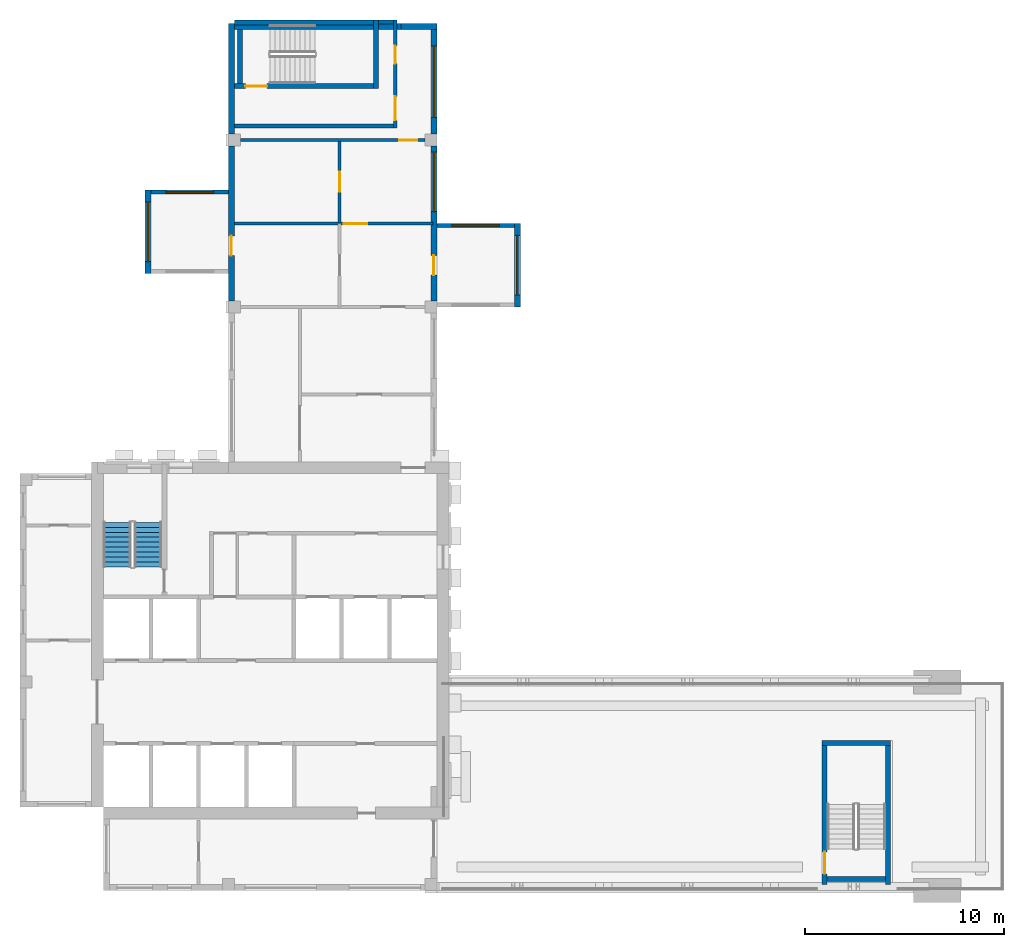
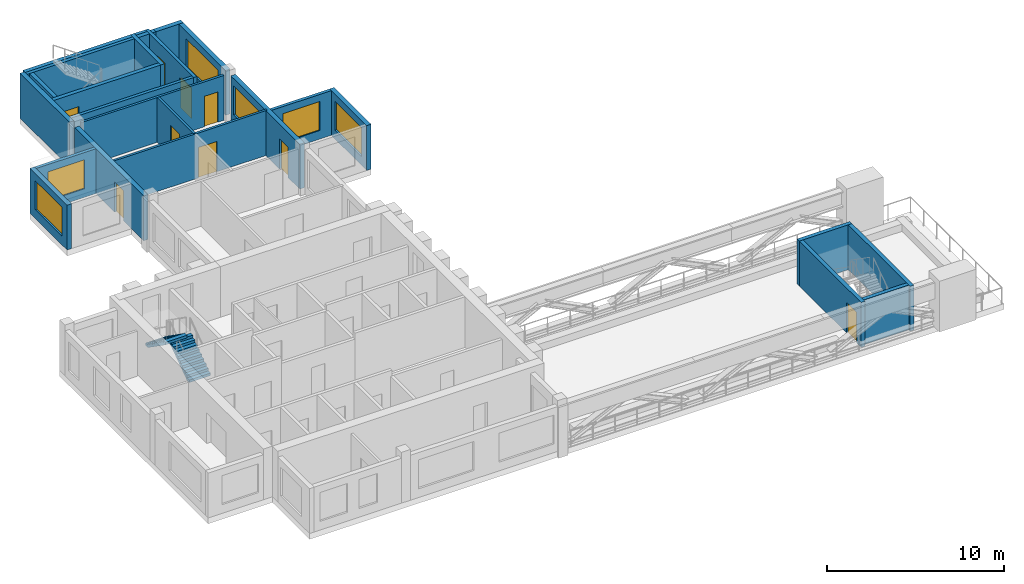
# One storey, part 4 of 9: 24 walls, 9 doors, 6 windows, 2 stair flights, 15 openings, 1 element without a shape of its own.
"""IFC4 building model written with IfcOpenShell, lengths in metres."""

from ifc_helpers import new_model, si_unit, direction, frame, frame_2d, origin, place, context, subcontext, project, spatial, polyline, rectangle, outline, extrude, source, transform, mapped, material, layer, layer_set, type_object, element, fill, aggregate, save


model = new_model("IFC4")

# Units and contexts
model_context = context("Model", 3, precision=1e-05, world=origin(), true_north=direction((0.0, 1.0)))
body_context = subcontext(model_context, "Body", "Model", "MODEL_VIEW")
ifc_project = project(units=[si_unit("LENGTHUNIT", "METRE"), si_unit("AREAUNIT", "SQUARE_METRE"), si_unit("VOLUMEUNIT", "CUBIC_METRE"), si_unit("PLANEANGLEUNIT", "RADIAN"), si_unit("MASSUNIT", "GRAM", prefix="KILO")], contexts=[model_context])

# Site, building, storey
site_placement = place(None, origin())
site = spatial("IfcSite", under=ifc_project, at=site_placement, CompositionType="ELEMENT")
building_placement = place(site_placement, origin())
building = spatial("IfcBuilding", under=site, at=building_placement, Name="Aurelian Terraces", CompositionType="ELEMENT")
storey_placement = place(building_placement, frame((0.0, 0.0, 351.0)))
storey = spatial("IfcBuildingStorey", under=building, at=storey_placement, Name="L83", CompositionType="ELEMENT", Elevation=351.0)

# Wall, opening, window
ifc_material_1 = material(Name="Concrete fc' 40 MPa", Category="concrete")
ifc_layer_1 = layer(ifc_material_1, 0.2)
ifc_layer_set_1 = layer_set([ifc_layer_1], Name="BOX BEARING WALL 200")
wall_type_1 = type_object("IfcWallType", Name="BOX BEARING WALL 200", PredefinedType="SOLIDWALL", material=ifc_layer_set_1)
shared_shape_1 = source(origin(), body_context, "Body", "SweptSolid", [
    extrude(rectangle(XDim=3.9, YDim=0.2, at=frame_2d((1.95, 0.0))), origin(), (0.0, 0.0, 1.0), 3.09),
])
wall_1_placement = place(storey_placement, frame((21.0, 33.5, 0.0), z_axis=(0.0, 0.0, 1.0), x_axis=(1.0, 0.0, 0.0)))
wall_1 = element("IfcWall", 1, at=wall_1_placement, inside=storey, type_object=wall_type_1, Name="Box return L83 J96.2", PredefinedType="SOLIDWALL", context=body_context, shape_type="MappedRepresentation", body=[
    mapped(shared_shape_1, transform((0.0, 0.0, 0.0), scale=1.0)),
])
shared_shape_2 = source(origin(), body_context, "Body", "SweptSolid", [
    extrude(rectangle(XDim=2.4, YDim=2.0, at=frame_2d((1.2, 1.0))), frame((0.0, 0.11, 0.0), z_axis=(0.0, -1.0, 0.0), x_axis=(1.0, 0.0, 0.0)), (0.0, 0.0, 1.0), 0.22),
])
opening_1_placement = place(wall_1_placement, frame((0.75, 0.0, 0.6)))
opening_1 = element("IfcOpeningElement", 2, at=opening_1_placement, cuts=wall_1, Name="Opening W2420", PredefinedType="OPENING", context=body_context, shape_type="MappedRepresentation", body=[
    mapped(shared_shape_2, transform((0.0, 0.0, 0.0), scale=1.0)),
])
ifc_material_2 = material(Name="Clear glazing", Category="glass")
window_type_1 = type_object("IfcWindowType", Name="W-2400x2000", PartitioningType="SINGLE_PANEL", PredefinedType="WINDOW", material=ifc_material_2)
shared_shape_3 = source(origin(), body_context, "Body", "SweptSolid", [
    extrude(rectangle(XDim=2.4, YDim=2.0, at=frame_2d((1.2, 1.0))), frame((0.0, 0.03, 0.0), z_axis=(0.0, -1.0, 0.0), x_axis=(1.0, 0.0, 0.0)), (0.0, 0.0, 1.0), 0.06),
])
window_1_placement = place(opening_1_placement, origin())
window_1 = element("IfcWindow", 3, at=window_1_placement, inside=storey, type_object=window_type_1, Name="Window L83 J96-S2", OverallHeight=2.0, OverallWidth=2.4, PartitioningType="SINGLE_PANEL", PredefinedType="WINDOW", context=body_context, shape_type="MappedRepresentation", body=[
    mapped(shared_shape_3, transform((0.0, 0.0, 0.0), scale=1.0)),
])
fill(opening_1, window_1)

shared_shape_4 = source(origin(), body_context, "Body", "SweptSolid", [
    extrude(rectangle(XDim=3.9, YDim=0.2, at=frame_2d((1.95, 0.0))), origin(), (0.0, 0.0, 1.0), 3.1),
])
wall_2_placement = place(storey_placement, frame((10.5, 35.18, 0.0), z_axis=(0.0, 0.0, 1.0), x_axis=(-1.0, 0.0, 0.0)))
wall_2 = element("IfcWall", 4, at=wall_2_placement, inside=storey, type_object=wall_type_1, Name="Box return L83 J95.1", PredefinedType="SOLIDWALL", context=body_context, shape_type="MappedRepresentation", body=[
    mapped(shared_shape_4, transform((0.0, 0.0, 0.0), scale=1.0)),
])
opening_2_placement = place(wall_2_placement, frame((0.75, 0.0, 0.6)))
opening_2 = element("IfcOpeningElement", 5, at=opening_2_placement, cuts=wall_2, Name="Opening W2420", PredefinedType="OPENING", context=body_context, shape_type="MappedRepresentation", body=[
    mapped(shared_shape_2, transform((0.0, 0.0, 0.0), scale=1.0)),
])
window_2_placement = place(opening_2_placement, origin())
window_2 = element("IfcWindow", 6, at=window_2_placement, inside=storey, type_object=window_type_1, Name="Window L83 J95-S1", OverallHeight=2.0, OverallWidth=2.4, PartitioningType="SINGLE_PANEL", PredefinedType="WINDOW", context=body_context, shape_type="MappedRepresentation", body=[
    mapped(shared_shape_3, transform((0.0, 0.0, 0.0), scale=1.0)),
])
fill(opening_2, window_2)

# Walls
ifc_material_3 = material(Name="Terracotta rainscreen cladding", Category="masonry")
ifc_layer_2 = layer(ifc_material_3, 0.3)
ifc_layer_set_2 = layer_set([ifc_layer_2], Name="EW-300")
wall_type_2 = type_object("IfcWallType", Name="EW-300", PredefinedType="STANDARD", material=ifc_layer_set_2)
shared_shape_5 = source(origin(), body_context, "Body", "SweptSolid", [
    extrude(rectangle(XDim=1.8, YDim=0.3, at=frame_2d((0.9, 0.0))), origin(), (0.0, 0.0, 1.0), 3.1),
])
wall_3_placement = place(storey_placement, frame((21.0, 43.53, 0.0), z_axis=(0.0, 0.0, 1.0), x_axis=(-1.0, 0.0, 0.0)))
element("IfcWall", 7, at=wall_3_placement, inside=storey, type_object=wall_type_2, Name="External wall L83 F03.9", PredefinedType="STANDARD", context=body_context, shape_type="MappedRepresentation", body=[
    mapped(shared_shape_5, transform((0.0, 0.0, 0.0), scale=1.0)),
])
ifc_layer_3 = layer(ifc_material_1, 0.3)
ifc_layer_set_3 = layer_set([ifc_layer_3], Name="STAIR BAY WALL 300")
wall_type_3 = type_object("IfcWallType", Name="STAIR BAY WALL 300", PredefinedType="SOLIDWALL", material=ifc_layer_set_3)
shared_shape_6 = source(origin(), body_context, "Body", "SweptSolid", [
    extrude(rectangle(XDim=8.6, YDim=0.3, at=frame_2d((4.3, 0.0))), origin(), (0.0, 0.0, 1.0), 3.1),
])
wall_4_placement = place(storey_placement, frame((19.2, 43.53, 0.0), z_axis=(0.0, 0.0, 1.0), x_axis=(-1.0, 0.0, 0.0)))
element("IfcWall", 8, at=wall_4_placement, inside=storey, type_object=wall_type_3, Name="Stair bay wall L83 F03.9", PredefinedType="SOLIDWALL", context=body_context, shape_type="MappedRepresentation", body=[
    mapped(shared_shape_6, transform((0.0, 0.0, 0.0), scale=1.0)),
])

# Wall, openings, window, door
shared_shape_7 = source(origin(), body_context, "Body", "SweptSolid", [
    extrude(rectangle(XDim=7.8, YDim=0.3, at=frame_2d((3.9, 0.0))), origin(), (0.0, 0.0, 1.0), 3.1),
])
wall_5_placement = place(storey_placement, frame((20.85, 29.7, 0.0), z_axis=(0.0, 0.0, 1.0), x_axis=(0.0, 1.0, 0.0)))
wall_5 = element("IfcWall", 9, at=wall_5_placement, inside=storey, type_object=wall_type_2, Name="External wall L83 F02.7", PredefinedType="STANDARD", context=body_context, shape_type="MappedRepresentation", body=[
    mapped(shared_shape_7, transform((0.0, 0.0, 0.0), scale=1.0)),
])
shared_shape_8 = source(origin(), body_context, "Body", "SweptSolid", [
    extrude(rectangle(XDim=3.0, YDim=2.0, at=frame_2d((1.5, 1.0))), frame((0.0, 0.16, 0.0), z_axis=(0.0, -1.0, 0.0), x_axis=(1.0, 0.0, 0.0)), (0.0, 0.0, 1.0), 0.32),
])
opening_3_placement = place(wall_5_placement, frame((4.5, 0.0, 0.6)))
opening_3 = element("IfcOpeningElement", 10, at=opening_3_placement, cuts=wall_5, Name="Opening W3020", PredefinedType="OPENING", context=body_context, shape_type="MappedRepresentation", body=[
    mapped(shared_shape_8, transform((0.0, 0.0, 0.0), scale=1.0)),
])
shared_shape_9 = source(origin(), body_context, "Body", "SweptSolid", [
    extrude(rectangle(XDim=1.0, YDim=2.1, at=frame_2d((0.5, 1.05))), frame((0.0, 0.16, 0.0), z_axis=(0.0, -1.0, 0.0), x_axis=(1.0, 0.0, 0.0)), (0.0, 0.0, 1.0), 0.32),
])
opening_4_placement = place(wall_5_placement, frame((1.3, 0.0, 0.0)))
opening_4 = element("IfcOpeningElement", 11, at=opening_4_placement, cuts=wall_5, Name="Opening 883002", PredefinedType="OPENING", context=body_context, shape_type="MappedRepresentation", body=[
    mapped(shared_shape_9, transform((0.0, 0.0, 0.0), scale=1.0)),
])
window_type_2 = type_object("IfcWindowType", Name="W-3000x2000", PartitioningType="SINGLE_PANEL", PredefinedType="WINDOW", material=ifc_material_2)
shared_shape_10 = source(origin(), body_context, "Body", "SweptSolid", [
    extrude(rectangle(XDim=3.0, YDim=2.0, at=frame_2d((1.5, 1.0))), frame((0.0, 0.03, 0.0), z_axis=(0.0, -1.0, 0.0), x_axis=(1.0, 0.0, 0.0)), (0.0, 0.0, 1.0), 0.06),
])
window_3_placement = place(opening_3_placement, origin())
window_3 = element("IfcWindow", 12, at=window_3_placement, inside=storey, type_object=window_type_2, Name="Window L83 L83-F02-07-1", OverallHeight=2.0, OverallWidth=3.0, PartitioningType="SINGLE_PANEL", PredefinedType="WINDOW", context=body_context, shape_type="MappedRepresentation", body=[
    mapped(shared_shape_10, transform((0.0, 0.0, 0.0), scale=1.0)),
])
fill(opening_3, window_3)
ifc_material_4 = material(Name="Timber door leaf", Category="wood")
door_type_1 = type_object("IfcDoorType", Name="Room door 1000x2100 left", OperationType="SINGLE_SWING_LEFT", PredefinedType="DOOR", material=ifc_material_4)
shared_shape_11 = source(origin(), body_context, "Body", "SweptSolid", [
    extrude(rectangle(XDim=1.0, YDim=2.1, at=frame_2d((0.5, 1.05))), frame((0.0, 0.025, 0.0), z_axis=(0.0, -1.0, 0.0), x_axis=(1.0, 0.0, 0.0)), (0.0, 0.0, 1.0), 0.05),
])
door_1_placement = place(opening_4_placement, origin())
door_1 = element("IfcDoor", 13, at=door_1_placement, inside=storey, type_object=door_type_1, Name="Door 883002", OperationType="SINGLE_SWING_LEFT", OverallHeight=2.1, OverallWidth=1.0, PredefinedType="DOOR", context=body_context, shape_type="MappedRepresentation", body=[
    mapped(shared_shape_11, transform((0.0, 0.0, 0.0), scale=1.0)),
])
fill(opening_4, door_1)

# Wall, opening, door
wall_6_placement = place(storey_placement, frame((10.65, 37.5, 0.0), z_axis=(0.0, 0.0, 1.0), x_axis=(0.0, -1.0, 0.0)))
wall_6 = element("IfcWall", 14, at=wall_6_placement, inside=storey, type_object=wall_type_2, Name="External wall L83 F04.10", PredefinedType="STANDARD", context=body_context, shape_type="MappedRepresentation", body=[
    mapped(shared_shape_7, transform((0.0, 0.0, 0.0), scale=1.0)),
])
opening_5_placement = place(wall_6_placement, frame((4.52, 0.0, 0.0)))
opening_5 = element("IfcOpeningElement", 15, at=opening_5_placement, cuts=wall_6, Name="Opening 883001", PredefinedType="OPENING", context=body_context, shape_type="MappedRepresentation", body=[
    mapped(shared_shape_9, transform((0.0, 0.0, 0.0), scale=1.0)),
])
door_2_placement = place(opening_5_placement, origin())
door_2 = element("IfcDoor", 16, at=door_2_placement, inside=storey, type_object=door_type_1, Name="Door 883001", OperationType="SINGLE_SWING_LEFT", OverallHeight=2.1, OverallWidth=1.0, PredefinedType="DOOR", context=body_context, shape_type="MappedRepresentation", body=[
    mapped(shared_shape_11, transform((0.0, 0.0, 0.0), scale=1.0)),
])
fill(opening_5, door_2)

# Wall, opening, window
shared_shape_12 = source(origin(), body_context, "Body", "SweptSolid", [
    extrude(rectangle(XDim=5.58, YDim=0.3, at=frame_2d((2.79, 0.0))), origin(), (0.0, 0.0, 1.0), 3.1),
])
wall_7_placement = place(storey_placement, frame((20.85, 38.1, 0.0), z_axis=(0.0, 0.0, 1.0), x_axis=(0.0, 1.0, 0.0)))
wall_7 = element("IfcWall", 17, at=wall_7_placement, inside=storey, type_object=wall_type_2, Name="External wall L83 F02.8", PredefinedType="STANDARD", context=body_context, shape_type="MappedRepresentation", body=[
    mapped(shared_shape_12, transform((0.0, 0.0, 0.0), scale=1.0)),
])
shared_shape_13 = source(origin(), body_context, "Body", "SweptSolid", [
    extrude(rectangle(XDim=3.6, YDim=2.0, at=frame_2d((1.8, 1.0))), frame((0.0, 0.16, 0.0), z_axis=(0.0, -1.0, 0.0), x_axis=(1.0, 0.0, 0.0)), (0.0, 0.0, 1.0), 0.32),
])
opening_6_placement = place(wall_7_placement, frame((0.84, 0.0, 0.6)))
opening_6 = element("IfcOpeningElement", 18, at=opening_6_placement, cuts=wall_7, Name="Opening W3620", PredefinedType="OPENING", context=body_context, shape_type="MappedRepresentation", body=[
    mapped(shared_shape_13, transform((0.0, 0.0, 0.0), scale=1.0)),
])
window_type_3 = type_object("IfcWindowType", Name="W-3600x2000", PartitioningType="SINGLE_PANEL", PredefinedType="WINDOW", material=ifc_material_2)
shared_shape_14 = source(origin(), body_context, "Body", "SweptSolid", [
    extrude(rectangle(XDim=3.6, YDim=2.0, at=frame_2d((1.8, 1.0))), frame((0.0, 0.03, 0.0), z_axis=(0.0, -1.0, 0.0), x_axis=(1.0, 0.0, 0.0)), (0.0, 0.0, 1.0), 0.06),
])
window_4_placement = place(opening_6_placement, origin())
window_4 = element("IfcWindow", 19, at=window_4_placement, inside=storey, type_object=window_type_3, Name="Window L83 L83-F02-08-0", OverallHeight=2.0, OverallWidth=3.6, PartitioningType="SINGLE_PANEL", PredefinedType="WINDOW", context=body_context, shape_type="MappedRepresentation", body=[
    mapped(shared_shape_14, transform((0.0, 0.0, 0.0), scale=1.0)),
])
fill(opening_6, window_4)

# Wall
shared_shape_15 = source(origin(), body_context, "Body", "SweptSolid", [
    extrude(rectangle(XDim=5.58, YDim=0.3, at=frame_2d((2.79, 0.0))), origin(), (0.0, 0.0, 1.0), 3.1),
])
wall_8_placement = place(storey_placement, frame((10.65, 43.68, 0.0), z_axis=(0.0, 0.0, 1.0), x_axis=(0.0, -1.0, 0.0)))
element("IfcWall", 20, at=wall_8_placement, inside=storey, type_object=wall_type_3, Name="Stair bay wall L83 F04.10", PredefinedType="SOLIDWALL", context=body_context, shape_type="MappedRepresentation", body=[
    mapped(shared_shape_15, transform((0.0, 0.0, 0.0), scale=1.0)),
])

# Wall, opening, window
ifc_layer_4 = layer(ifc_material_1, 0.3)
ifc_layer_set_4 = layer_set([ifc_layer_4], Name="BOX BEARING WALL 300")
wall_type_4 = type_object("IfcWallType", Name="BOX BEARING WALL 300", PredefinedType="SOLIDWALL", material=ifc_layer_set_4)
shared_shape_16 = source(origin(), body_context, "Body", "SweptSolid", [
    extrude(rectangle(XDim=4.2, YDim=0.3, at=frame_2d((2.1, 0.0))), origin(), (0.0, 0.0, 1.0), 3.09),
])
wall_9_placement = place(storey_placement, frame((25.05, 29.4, 0.0), z_axis=(0.0, 0.0, 1.0), x_axis=(0.0, 1.0, 0.0)))
wall_9 = element("IfcWall", 21, at=wall_9_placement, inside=storey, type_object=wall_type_4, Name="Box wall L83 J96", PredefinedType="SOLIDWALL", context=body_context, shape_type="MappedRepresentation", body=[
    mapped(shared_shape_16, transform((0.0, 0.0, 0.0), scale=1.0)),
])
opening_7_placement = place(wall_9_placement, frame((0.6, 0.0, 0.6)))
opening_7 = element("IfcOpeningElement", 22, at=opening_7_placement, cuts=wall_9, Name="Opening W3020", PredefinedType="OPENING", context=body_context, shape_type="MappedRepresentation", body=[
    mapped(shared_shape_8, transform((0.0, 0.0, 0.0), scale=1.0)),
])
window_5_placement = place(opening_7_placement, origin())
window_5 = element("IfcWindow", 23, at=window_5_placement, inside=storey, type_object=window_type_2, Name="Window L83 J96-F1", OverallHeight=2.0, OverallWidth=3.0, PartitioningType="SINGLE_PANEL", PredefinedType="WINDOW", context=body_context, shape_type="MappedRepresentation", body=[
    mapped(shared_shape_10, transform((0.0, 0.0, 0.0), scale=1.0)),
])
fill(opening_7, window_5)

shared_shape_17 = source(origin(), body_context, "Body", "SweptSolid", [
    extrude(rectangle(XDim=4.2, YDim=0.3, at=frame_2d((2.1, 0.0))), origin(), (0.0, 0.0, 1.0), 3.1),
])
wall_10_placement = place(storey_placement, frame((6.45, 35.28, 0.0), z_axis=(0.0, 0.0, 1.0), x_axis=(0.0, -1.0, 0.0)))
wall_10 = element("IfcWall", 24, at=wall_10_placement, inside=storey, type_object=wall_type_4, Name="Box wall L83 J95", PredefinedType="SOLIDWALL", context=body_context, shape_type="MappedRepresentation", body=[
    mapped(shared_shape_17, transform((0.0, 0.0, 0.0), scale=1.0)),
])
opening_8_placement = place(wall_10_placement, frame((0.6, 0.0, 0.6)))
opening_8 = element("IfcOpeningElement", 25, at=opening_8_placement, cuts=wall_10, Name="Opening W3020", PredefinedType="OPENING", context=body_context, shape_type="MappedRepresentation", body=[
    mapped(shared_shape_8, transform((0.0, 0.0, 0.0), scale=1.0)),
])
window_6_placement = place(opening_8_placement, origin())
window_6 = element("IfcWindow", 26, at=window_6_placement, inside=storey, type_object=window_type_2, Name="Window L83 J95-F1", OverallHeight=2.0, OverallWidth=3.0, PartitioningType="SINGLE_PANEL", PredefinedType="WINDOW", context=body_context, shape_type="MappedRepresentation", body=[
    mapped(shared_shape_10, transform((0.0, 0.0, 0.0), scale=1.0)),
])
fill(opening_8, window_6)

# Wall, opening, door
ifc_layer_5 = layer(ifc_material_1, 0.25)
ifc_layer_set_5 = layer_set([ifc_layer_5], Name="Stair enclosure wall 250")
wall_type_5 = type_object("IfcWallType", Name="Stair enclosure wall 250", PredefinedType="SOLIDWALL", material=ifc_layer_set_5)
shared_shape_18 = source(origin(), body_context, "Body", "SweptSolid", [
    extrude(rectangle(XDim=7.0, YDim=0.25, at=frame_2d((3.5, 0.0))), origin(), (0.0, 0.0, 1.0), 3.1),
])
wall_11_placement = place(storey_placement, frame((40.525, 0.3, 0.0), z_axis=(0.0, 0.0, 1.0), x_axis=(0.0, 1.0, 0.0)))
wall_11 = element("IfcWall", 27, at=wall_11_placement, inside=storey, type_object=wall_type_5, Name="L83 core wall ST-S2-W", PredefinedType="SOLIDWALL", context=body_context, shape_type="MappedRepresentation", body=[
    mapped(shared_shape_18, transform((0.0, 0.0, 0.0), scale=1.0)),
])
shared_shape_19 = source(origin(), body_context, "Body", "SweptSolid", [
    extrude(rectangle(XDim=1.1, YDim=2.1, at=frame_2d((0.55, 1.05))), frame((0.0, 0.135, 0.0), z_axis=(0.0, -1.0, 0.0), x_axis=(1.0, 0.0, 0.0)), (0.0, 0.0, 1.0), 0.27),
])
opening_9_placement = place(wall_11_placement, frame((0.55, 0.0, 0.0)))
opening_9 = element("IfcOpeningElement", 28, at=opening_9_placement, cuts=wall_11, Name="Opening 68616", PredefinedType="OPENING", context=body_context, shape_type="MappedRepresentation", body=[
    mapped(shared_shape_19, transform((0.0, 0.0, 0.0), scale=1.0)),
])
ifc_material_5 = material(Name="Steel door leaf", Category="steel")
door_type_2 = type_object("IfcDoorType", Name="Core fire door 1100x2100", OperationType="SINGLE_SWING_LEFT", PredefinedType="DOOR", material=ifc_material_5)
shared_shape_20 = source(origin(), body_context, "Body", "SweptSolid", [
    extrude(rectangle(XDim=1.1, YDim=2.1, at=frame_2d((0.55, 1.05))), frame((0.0, 0.025, 0.0), z_axis=(0.0, -1.0, 0.0), x_axis=(1.0, 0.0, 0.0)), (0.0, 0.0, 1.0), 0.05),
])
door_3_placement = place(opening_9_placement, origin())
door_3 = element("IfcDoor", 29, at=door_3_placement, inside=storey, type_object=door_type_2, Name="Stair door 68616", OperationType="SINGLE_SWING_LEFT", OverallHeight=2.1, OverallWidth=1.1, PredefinedType="DOOR", context=body_context, shape_type="MappedRepresentation", body=[
    mapped(shared_shape_20, transform((0.0, 0.0, 0.0), scale=1.0)),
])
fill(opening_9, door_3)

# Wall
wall_12_placement = place(storey_placement, frame((43.725, 0.3, 0.0), z_axis=(0.0, 0.0, 1.0), x_axis=(0.0, 1.0, 0.0)))
element("IfcWall", 30, at=wall_12_placement, inside=storey, type_object=wall_type_5, Name="L83 core wall ST-S2-E", PredefinedType="SOLIDWALL", context=body_context, shape_type="MappedRepresentation", body=[
    mapped(shared_shape_18, transform((0.0, 0.0, 0.0), scale=1.0)),
])

# Wall, opening, door
wall_13_placement = place(storey_placement, frame((10.8, 40.525, 0.0), z_axis=(0.0, 0.0, 1.0), x_axis=(1.0, 0.0, 0.0)))
wall_13 = element("IfcWall", 31, at=wall_13_placement, inside=storey, type_object=wall_type_5, Name="L83 core wall ST-S3U-W", PredefinedType="SOLIDWALL", context=body_context, shape_type="MappedRepresentation", body=[
    mapped(shared_shape_18, transform((0.0, 0.0, 0.0), scale=1.0)),
])
opening_10_placement = place(wall_13_placement, frame((0.55, 0.0, 0.0)))
opening_10 = element("IfcOpeningElement", 32, at=opening_10_placement, cuts=wall_13, Name="Opening 68617", PredefinedType="OPENING", context=body_context, shape_type="MappedRepresentation", body=[
    mapped(shared_shape_19, transform((0.0, 0.0, 0.0), scale=1.0)),
])
door_type_3 = type_object("IfcDoorType", Name="Core fire door 1100x2100 right", OperationType="SINGLE_SWING_RIGHT", PredefinedType="DOOR", material=ifc_material_5)
door_4_placement = place(opening_10_placement, origin())
door_4 = element("IfcDoor", 33, at=door_4_placement, inside=storey, type_object=door_type_3, Name="Stair door 68617", OperationType="SINGLE_SWING_RIGHT", OverallHeight=2.1, OverallWidth=1.1, PredefinedType="DOOR", context=body_context, shape_type="MappedRepresentation", body=[
    mapped(shared_shape_20, transform((0.0, 0.0, 0.0), scale=1.0)),
])
fill(opening_10, door_4)

# Walls
wall_14_placement = place(storey_placement, frame((10.8, 43.725, 0.0), z_axis=(0.0, 0.0, 1.0), x_axis=(1.0, 0.0, 0.0)))
element("IfcWall", 34, at=wall_14_placement, inside=storey, type_object=wall_type_5, Name="L83 core wall ST-S3U-E", PredefinedType="SOLIDWALL", context=body_context, shape_type="MappedRepresentation", body=[
    mapped(shared_shape_18, transform((0.0, 0.0, 0.0), scale=1.0)),
])
shared_shape_21 = source(origin(), body_context, "Body", "SweptSolid", [
    extrude(rectangle(XDim=3.45, YDim=0.25, at=frame_2d((1.725, 0.0))), origin(), (0.0, 0.0, 1.0), 3.1),
])
for number, where, z_axis, x_axis, name in (
    (35, (40.4, 7.425, 0.0), (0.0, 0.0, 1.0), (1.0, 0.0, 0.0), "L83 core wall ST-S2-N"),
    (36, (17.925, 40.4, 0.0), (0.0, 0.0, 1.0), (0.0, 1.0, 0.0), "L83 core wall ST-S3U-N"),
):
    element("IfcWall", number, at=place(storey_placement, frame(where, z_axis=z_axis, x_axis=x_axis)), inside=storey, type_object=wall_type_5, Name=name, PredefinedType="SOLIDWALL", context=body_context, shape_type="MappedRepresentation", body=[
        mapped(shared_shape_21, transform((0.0, 0.0, 0.0), scale=1.0)),
    ])
ifc_material_6 = material(Name="Gypsum board on steel studs", Category="steel")
ifc_layer_6 = layer(ifc_material_6, 0.2)
ifc_layer_set_6 = layer_set([ifc_layer_6], Name="Core partition 200")
wall_type_6 = type_object("IfcWallType", Name="Core partition 200", PredefinedType="PARTITIONING", material=ifc_layer_set_6)
shared_shape_22 = source(origin(), body_context, "Body", "SweptSolid", [
    extrude(rectangle(XDim=8.0, YDim=0.2, at=frame_2d((4.0, 0.0))), origin(), (0.0, 0.0, 1.0), 3.1),
])
wall_15_placement = place(storey_placement, frame((10.8, 38.5, 0.0), z_axis=(0.0, 0.0, 1.0), x_axis=(1.0, 0.0, 0.0)))
element("IfcWall", 37, at=wall_15_placement, inside=storey, type_object=wall_type_6, Name="L83 core wall ST-S3U-VW", PredefinedType="PARTITIONING", context=body_context, shape_type="MappedRepresentation", body=[
    mapped(shared_shape_22, transform((0.0, 0.0, 0.0), scale=1.0)),
])

# Wall, openings, doors
shared_shape_23 = source(origin(), body_context, "Body", "SweptSolid", [
    extrude(rectangle(XDim=5.45, YDim=0.2, at=frame_2d((2.725, 0.0))), origin(), (0.0, 0.0, 1.0), 3.1),
])
wall_16_placement = place(storey_placement, frame((18.9, 38.4, 0.0), z_axis=(0.0, 0.0, 1.0), x_axis=(0.0, 1.0, 0.0)))
wall_16 = element("IfcWall", 38, at=wall_16_placement, inside=storey, type_object=wall_type_6, Name="L83 core wall ST-S3U-BN", PredefinedType="PARTITIONING", context=body_context, shape_type="MappedRepresentation", body=[
    mapped(shared_shape_23, transform((0.0, 0.0, 0.0), scale=1.0)),
])
shared_shape_24 = source(origin(), body_context, "Body", "SweptSolid", [
    extrude(rectangle(XDim=1.2, YDim=2.1, at=frame_2d((0.6, 1.05))), frame((0.0, 0.11, 0.0), z_axis=(0.0, -1.0, 0.0), x_axis=(1.0, 0.0, 0.0)), (0.0, 0.0, 1.0), 0.22),
])
opening_11_placement = place(wall_16_placement, frame((0.4, 0.0, 0.0)))
opening_11 = element("IfcOpeningElement", 39, at=opening_11_placement, cuts=wall_16, Name="Opening 68618", PredefinedType="OPENING", context=body_context, shape_type="MappedRepresentation", body=[
    mapped(shared_shape_24, transform((0.0, 0.0, 0.0), scale=1.0)),
])
shared_shape_25 = source(origin(), body_context, "Body", "SweptSolid", [
    extrude(rectangle(XDim=0.9, YDim=2.1, at=frame_2d((0.45, 1.05))), frame((0.0, 0.11, 0.0), z_axis=(0.0, -1.0, 0.0), x_axis=(1.0, 0.0, 0.0)), (0.0, 0.0, 1.0), 0.22),
])
opening_12_placement = place(wall_16_placement, frame((3.25, 0.0, 0.0)))
opening_12 = element("IfcOpeningElement", 40, at=opening_12_placement, cuts=wall_16, Name="Opening 68619", PredefinedType="OPENING", context=body_context, shape_type="MappedRepresentation", body=[
    mapped(shared_shape_25, transform((0.0, 0.0, 0.0), scale=1.0)),
])
door_type_4 = type_object("IfcDoorType", Name="Core riser door 900x2100 right", OperationType="SINGLE_SWING_RIGHT", PredefinedType="DOOR", material=ifc_material_5)
shared_shape_26 = source(origin(), body_context, "Body", "SweptSolid", [
    extrude(rectangle(XDim=0.9, YDim=2.1, at=frame_2d((0.45, 1.05))), frame((0.0, 0.025, 0.0), z_axis=(0.0, -1.0, 0.0), x_axis=(1.0, 0.0, 0.0)), (0.0, 0.0, 1.0), 0.05),
])
door_5_placement = place(opening_12_placement, origin())
door_5 = element("IfcDoor", 41, at=door_5_placement, inside=storey, type_object=door_type_4, Name="Riser door 68619", OperationType="SINGLE_SWING_RIGHT", OverallHeight=2.1, OverallWidth=0.9, PredefinedType="DOOR", context=body_context, shape_type="MappedRepresentation", body=[
    mapped(shared_shape_26, transform((0.0, 0.0, 0.0), scale=1.0)),
])
fill(opening_12, door_5)
door_type_5 = type_object("IfcDoorType", Name="Core fire door 1200x2100", OperationType="SINGLE_SWING_LEFT", PredefinedType="DOOR", material=ifc_material_5)
shared_shape_27 = source(origin(), body_context, "Body", "SweptSolid", [
    extrude(rectangle(XDim=1.2, YDim=2.1, at=frame_2d((0.6, 1.05))), frame((0.0, 0.025, 0.0), z_axis=(0.0, -1.0, 0.0), x_axis=(1.0, 0.0, 0.0)), (0.0, 0.0, 1.0), 0.05),
])
door_6_placement = place(opening_11_placement, origin())
door_6 = element("IfcDoor", 42, at=door_6_placement, inside=storey, type_object=door_type_5, Name="Vestibule door 68618", OperationType="SINGLE_SWING_LEFT", OverallHeight=2.1, OverallWidth=1.2, PredefinedType="DOOR", context=body_context, shape_type="MappedRepresentation", body=[
    mapped(shared_shape_27, transform((0.0, 0.0, 0.0), scale=1.0)),
])
fill(opening_11, door_6)

# Walls
shared_shape_28 = source(origin(), body_context, "Body", "SweptSolid", [
    extrude(rectangle(XDim=0.75, YDim=0.2, at=frame_2d((0.375, 0.0))), origin(), (0.0, 0.0, 1.0), 3.1),
])
wall_17_placement = place(storey_placement, frame((18.05, 43.75, 0.0), z_axis=(0.0, 0.0, 1.0), x_axis=(1.0, 0.0, 0.0)))
element("IfcWall", 43, at=wall_17_placement, inside=storey, type_object=wall_type_6, Name="L83 core wall ST-S3U-RE", PredefinedType="PARTITIONING", context=body_context, shape_type="MappedRepresentation", body=[
    mapped(shared_shape_28, transform((0.0, 0.0, 0.0), scale=1.0)),
])
shared_shape_29 = source(origin(), body_context, "Body", "SweptSolid", [
    extrude(rectangle(XDim=2.95, YDim=0.25, at=frame_2d((1.475, 0.0))), origin(), (0.0, 0.0, 1.0), 3.1),
])
wall_18_placement = place(storey_placement, frame((40.65, 0.575, 0.0), z_axis=(0.0, 0.0, 1.0), x_axis=(1.0, 0.0, 0.0)))
element("IfcWall", 44, at=wall_18_placement, inside=storey, type_object=wall_type_5, Name="L83 core wall ST-S2-SS", PredefinedType="SOLIDWALL", context=body_context, shape_type="MappedRepresentation", body=[
    mapped(shared_shape_29, transform((0.0, 0.0, 0.0), scale=1.0)),
])
shared_shape_30 = source(origin(), body_context, "Body", "SweptSolid", [
    extrude(rectangle(XDim=2.73, YDim=0.25, at=frame_2d((1.365, 0.0))), origin(), (0.0, 0.0, 1.0), 3.1),
])
wall_19_placement = place(storey_placement, frame((11.075, 40.65, 0.0), z_axis=(0.0, 0.0, 1.0), x_axis=(0.0, 1.0, 0.0)))
element("IfcWall", 45, at=wall_19_placement, inside=storey, type_object=wall_type_5, Name="L83 core wall ST-S3U-SS", PredefinedType="SOLIDWALL", context=body_context, shape_type="MappedRepresentation", body=[
    mapped(shared_shape_30, transform((0.0, 0.0, 0.0), scale=1.0)),
])

# Wall, opening, door
ifc_layer_7 = layer(ifc_material_6, 0.15)
ifc_layer_set_7 = layer_set([ifc_layer_7], Name="Partition 150")
wall_type_7 = type_object("IfcWallType", Name="Partition 150", PredefinedType="PARTITIONING", material=ifc_layer_set_7)
shared_shape_31 = source(origin(), body_context, "Body", "SweptSolid", [
    extrude(rectangle(XDim=9.302, YDim=0.15, at=frame_2d((4.651, 0.0))), origin(), (0.0, 0.0, 1.0), 3.1),
])
wall_20_placement = place(storey_placement, frame((20.401, 37.8, 0.0), z_axis=(0.0, 0.0, 1.0), x_axis=(-1.0, 0.0, 0.0)))
wall_20 = element("IfcWall", 46, at=wall_20_placement, inside=storey, type_object=wall_type_7, Name="Partition", PredefinedType="PARTITIONING", context=body_context, shape_type="MappedRepresentation", body=[
    mapped(shared_shape_31, transform((0.0, 0.0, 0.0), scale=1.0)),
])
shared_shape_32 = source(origin(), body_context, "Body", "SweptSolid", [
    extrude(rectangle(XDim=0.9, YDim=2.1, at=frame_2d((0.45, 1.05))), frame((0.0, 0.085, 0.0), z_axis=(0.0, -1.0, 0.0), x_axis=(1.0, 0.0, 0.0)), (0.0, 0.0, 1.0), 0.17),
])
opening_13_placement = place(wall_20_placement, frame((0.401, 0.0, 0.0)))
opening_13 = element("IfcOpeningElement", 47, at=opening_13_placement, cuts=wall_20, Name="Opening 783010", PredefinedType="OPENING", context=body_context, shape_type="MappedRepresentation", body=[
    mapped(shared_shape_32, transform((0.0, 0.0, 0.0), scale=1.0)),
])
door_type_6 = type_object("IfcDoorType", Name="Room door 900x2100 right", OperationType="SINGLE_SWING_RIGHT", PredefinedType="DOOR", material=ifc_material_4)
door_7_placement = place(opening_13_placement, origin())
door_7 = element("IfcDoor", 48, at=door_7_placement, inside=storey, type_object=door_type_6, Name="Door 783010", OperationType="SINGLE_SWING_RIGHT", OverallHeight=2.1, OverallWidth=0.9, PredefinedType="DOOR", context=body_context, shape_type="MappedRepresentation", body=[
    mapped(shared_shape_26, transform((0.0, 0.0, 0.0), scale=1.0)),
])
fill(opening_13, door_7)

shared_shape_33 = source(origin(), body_context, "Body", "SweptSolid", [
    extrude(rectangle(XDim=4.105, YDim=0.15, at=frame_2d((2.0525, 0.0))), origin(), (0.0, 0.0, 1.0), 3.1),
])
wall_21_placement = place(storey_placement, frame((16.1, 37.725, 0.0), z_axis=(0.0, 0.0, 1.0), x_axis=(0.0, -1.0, 0.0)))
wall_21 = element("IfcWall", 49, at=wall_21_placement, inside=storey, type_object=wall_type_7, Name="Partition", PredefinedType="PARTITIONING", context=body_context, shape_type="MappedRepresentation", body=[
    mapped(shared_shape_33, transform((0.0, 0.0, 0.0), scale=1.0)),
])
shared_shape_34 = source(origin(), body_context, "Body", "SweptSolid", [
    extrude(rectangle(XDim=1.0, YDim=2.1, at=frame_2d((0.5, 1.05))), frame((0.0, 0.085, 0.0), z_axis=(0.0, -1.0, 0.0), x_axis=(1.0, 0.0, 0.0)), (0.0, 0.0, 1.0), 0.17),
])
opening_14_placement = place(wall_21_placement, frame((1.525, 0.0, 0.0)))
opening_14 = element("IfcOpeningElement", 50, at=opening_14_placement, cuts=wall_21, Name="Opening 783006", PredefinedType="OPENING", context=body_context, shape_type="MappedRepresentation", body=[
    mapped(shared_shape_34, transform((0.0, 0.0, 0.0), scale=1.0)),
])
door_8_placement = place(opening_14_placement, origin())
door_8 = element("IfcDoor", 51, at=door_8_placement, inside=storey, type_object=door_type_1, Name="Door 783006", OperationType="SINGLE_SWING_LEFT", OverallHeight=2.1, OverallWidth=1.0, PredefinedType="DOOR", context=body_context, shape_type="MappedRepresentation", body=[
    mapped(shared_shape_11, transform((0.0, 0.0, 0.0), scale=1.0)),
])
fill(opening_14, door_8)

shared_shape_35 = source(origin(), body_context, "Body", "SweptSolid", [
    extrude(rectangle(XDim=9.995, YDim=0.15, at=frame_2d((4.9975, 0.0))), origin(), (0.0, 0.0, 1.0), 3.1),
])
wall_22_placement = place(storey_placement, frame((10.8, 33.6, 0.0), z_axis=(0.0, 0.0, 1.0), x_axis=(1.0, 0.0, 0.0)))
wall_22 = element("IfcWall", 52, at=wall_22_placement, inside=storey, type_object=wall_type_7, Name="Partition", PredefinedType="PARTITIONING", context=body_context, shape_type="MappedRepresentation", body=[
    mapped(shared_shape_35, transform((0.0, 0.0, 0.0), scale=1.0)),
])
shared_shape_36 = source(origin(), body_context, "Body", "SweptSolid", [
    extrude(rectangle(XDim=1.2, YDim=2.1, at=frame_2d((0.6, 1.05))), frame((0.0, 0.085, 0.0), z_axis=(0.0, -1.0, 0.0), x_axis=(1.0, 0.0, 0.0)), (0.0, 0.0, 1.0), 0.17),
])
opening_15_placement = place(wall_22_placement, frame((5.5, 0.0, 0.0)))
opening_15 = element("IfcOpeningElement", 53, at=opening_15_placement, cuts=wall_22, Name="Opening 783008", PredefinedType="OPENING", context=body_context, shape_type="MappedRepresentation", body=[
    mapped(shared_shape_36, transform((0.0, 0.0, 0.0), scale=1.0)),
])
door_type_7 = type_object("IfcDoorType", Name="Room door 1200x2100 right", OperationType="SINGLE_SWING_RIGHT", PredefinedType="DOOR", material=ifc_material_4)
door_9_placement = place(opening_15_placement, origin())
door_9 = element("IfcDoor", 54, at=door_9_placement, inside=storey, type_object=door_type_7, Name="Door 783008", OperationType="SINGLE_SWING_RIGHT", OverallHeight=2.1, OverallWidth=1.2, PredefinedType="DOOR", context=body_context, shape_type="MappedRepresentation", body=[
    mapped(shared_shape_27, transform((0.0, 0.0, 0.0), scale=1.0)),
])
fill(opening_15, door_9)

# Stair, stair flights
stair_type = type_object("IfcStairType", Name="Stair 1400", PredefinedType="HALF_TURN_STAIR", material=ifc_material_1)
stair_placement = place(storey_placement, origin())
stair = element("IfcStair", 55, at=stair_placement, inside=storey, type_object=stair_type, Name="L83 S1", PredefinedType="HALF_TURN_STAIR")
stair_flight_type = type_object("IfcStairFlightType", Name="Stair flight 1400", PredefinedType="STRAIGHT", material=ifc_material_1)
shared_shape_37 = source(origin(), body_context, "Body", "SweptSolid", [
    extrude(outline(polyline([(0.0, 0.0), (0.0, 0.175), (0.25, 0.175), (0.25, 0.35), (0.5, 0.35), (0.5, 0.525), (0.75, 0.525), (0.75, 0.7), (1.0, 0.7), (1.0, 0.875), (1.25, 0.875), (1.25, 1.05), (1.5, 1.05), (1.5, 1.225), (1.75, 1.225), (1.75, 1.4), (2.0, 1.4), (2.0, 1.575), (2.25, 1.575), (2.25, 1.75), (2.25, 1.3919), (0.2616, 0.0), (0.0, 0.0)])), frame((0.0, 0.7, 0.0), z_axis=(0.0, -1.0, 0.0), x_axis=(1.0, 0.0, 0.0)), (0.0, 0.0, 1.0), 1.4),
])
stair_flight_1_placement = place(storey_placement, frame((6.45, 16.3, 2e-08), z_axis=(0.0, 0.0, 1.0), x_axis=(0.0, 1.0, 0.0)))
stair_flight_1 = element("IfcStairFlight", 56, at=stair_flight_1_placement, type_object=stair_flight_type, Name="S1 flight 1", NumberOfRisers=10, NumberOfTreads=9, PredefinedType="STRAIGHT", RiserHeight=0.175, TreadLength=0.25, context=body_context, shape_type="MappedRepresentation", body=[
    mapped(shared_shape_37, transform((0.0, 0.0, 0.0), scale=1.0)),
])
stair_flight_2_placement = place(storey_placement, frame((4.9, 18.55, 1.75000002), z_axis=(0.0, 0.0, 1.0), x_axis=(0.0, -1.0, 0.0)))
stair_flight_2 = element("IfcStairFlight", 57, at=stair_flight_2_placement, type_object=stair_flight_type, Name="S1 flight 2", NumberOfRisers=10, NumberOfTreads=9, PredefinedType="STRAIGHT", RiserHeight=0.175, TreadLength=0.25, context=body_context, shape_type="MappedRepresentation", body=[
    mapped(shared_shape_37, transform((0.0, 0.0, 0.0), scale=1.0)),
])
aggregate(stair, [stair_flight_1, stair_flight_2])

save(model, "model.ifc")
